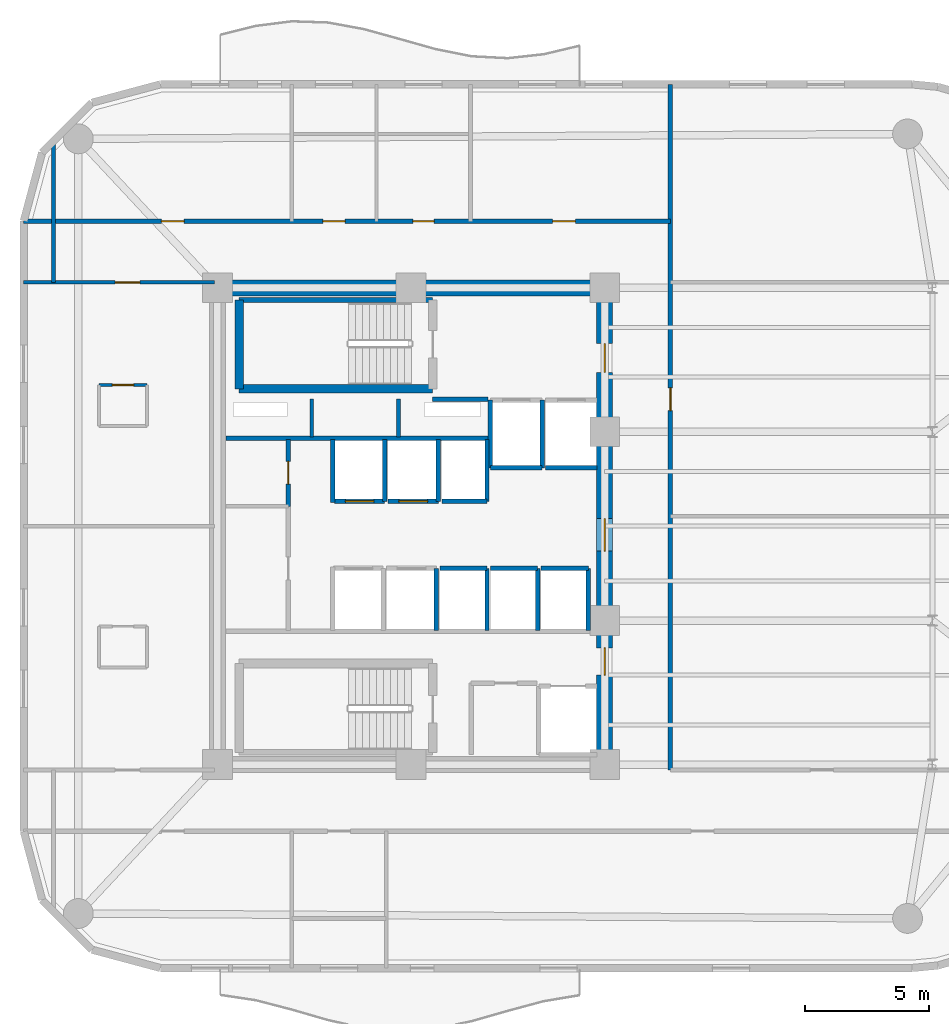
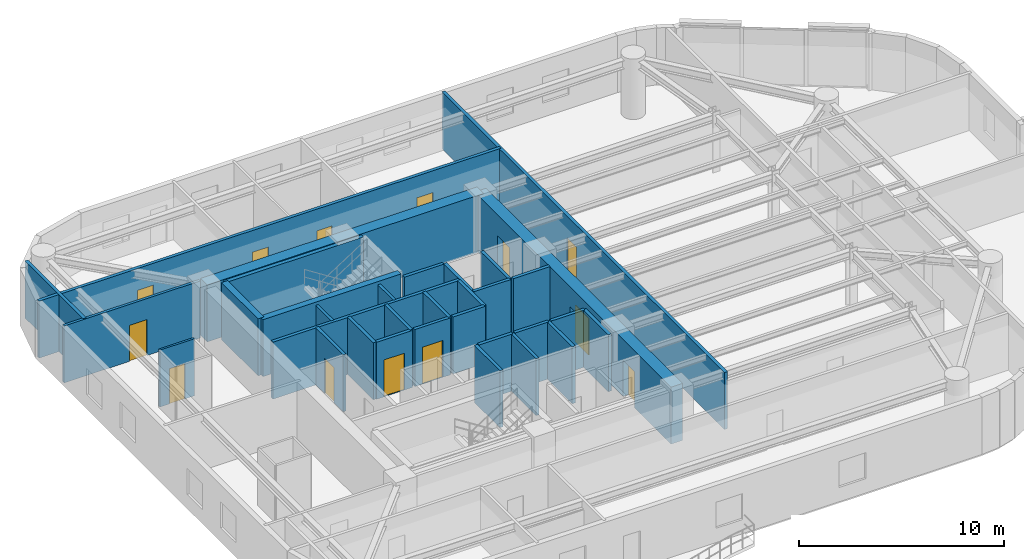
# One storey, part 12 of 16: 33 walls, 13 doors, 13 openings.
"""IFC4 building model written with IfcOpenShell, lengths in metres."""

from ifc_helpers import new_model, si_unit, direction, frame, frame_2d, origin, place, context, subcontext, project, spatial, rectangle, extrude, material, layer, layer_set, type_object, element, fill, save


model = new_model("IFC4")

# Units and contexts
model_context = context("Model", 3, precision=1e-05, world=origin(), true_north=direction((0.0, 1.0)))
body_context = subcontext(model_context, "Body", "Model", "MODEL_VIEW")
ifc_project = project(units=[si_unit("LENGTHUNIT", "METRE"), si_unit("AREAUNIT", "SQUARE_METRE"), si_unit("VOLUMEUNIT", "CUBIC_METRE"), si_unit("PLANEANGLEUNIT", "RADIAN"), si_unit("MASSUNIT", "GRAM", prefix="KILO")], contexts=[model_context])

# Site, building, storey
site_placement = place(None, origin())
site = spatial("IfcSite", under=ifc_project, at=site_placement, CompositionType="ELEMENT")
building_placement = place(site_placement, origin())
building = spatial("IfcBuilding", under=site, at=building_placement, Name="An Khanh Terracotta Commons", CompositionType="ELEMENT")
storey_placement = place(building_placement, frame((0.0, 0.0, 172.60009765625)))
storey = spatial("IfcBuildingStorey", under=building, at=storey_placement, Name="L45", CompositionType="ELEMENT", Elevation=172.60009765625)

# Wall
ifc_material_1 = material(Name="Concrete C60/75", Category="concrete")
ifc_layer_1 = layer(ifc_material_1, 0.64990234375, Name="Concrete C60/75")
ifc_layer_set_1 = layer_set([ifc_layer_1], Name="Concrete C60/75")
wall_type_1 = type_object("IfcWallType", Name="WALL-CORE-650", PredefinedType="SHEAR", material=ifc_layer_set_1)
wall_1_placement = place(storey_placement, frame((21.60009765625, 33.60009765625, 0.0), z_axis=(0.0, 0.0, 1.0), x_axis=(1.0, 0.0, 0.0)))
element("IfcWall", 1, at=wall_1_placement, inside=storey, type_object=wall_type_1, Name="L45 Core Wall CWALL-L45-N", PredefinedType="SHEAR", context=body_context, shape_type="SweptSolid", body=[
    extrude(rectangle(XDim=15.599853515625, YDim=0.64990234375, at=frame_2d((7.7998046875, 0.0))), origin(), (0.0, 0.0, 1.0), 3.39990234375),
])

# Wall, openings, doors
wall_2_placement = place(storey_placement, frame((37.199951171875, 14.39990234375, 0.0), z_axis=(0.0, 0.0, 1.0), x_axis=(0.0, 1.0, 0.0)))
wall_2 = element("IfcWall", 2, at=wall_2_placement, inside=storey, type_object=wall_type_1, Name="L45 Core Wall CWALL-L45-E", PredefinedType="SHEAR", context=body_context, shape_type="SweptSolid", body=[
    extrude(rectangle(XDim=19.2001953125, YDim=0.64990234375, at=frame_2d((9.60009765625, 0.0))), origin(), (0.0, 0.0, 1.0), 3.39990234375),
])
opening_1_placement = place(wall_2_placement, frame((15.800048828125, 0.0, 0.0)))
opening_1 = element("IfcOpeningElement", 3, at=opening_1_placement, cuts=wall_2, Name="Opening D-FFL", PredefinedType="OPENING", context=body_context, shape_type="SweptSolid", body=[
    extrude(rectangle(XDim=1.14990234375, YDim=2.14990234375, at=frame_2d((0.574951171875, 1.074951171875))), frame((0.0, 0.3349609375, 0.0), z_axis=(0.0, -1.0, 0.0), x_axis=(1.0, 0.0, 0.0)), (0.0, 0.0, 1.0), 0.669921875),
])
opening_2_placement = place(wall_2_placement, frame((3.60009765625, 0.0, 0.0)))
opening_2 = element("IfcOpeningElement", 4, at=opening_2_placement, cuts=wall_2, Name="Opening D-ST", PredefinedType="OPENING", context=body_context, shape_type="SweptSolid", body=[
    extrude(rectangle(XDim=1.10009765625, YDim=2.14990234375, at=frame_2d((0.550048828125, 1.074951171875))), frame((0.0, 0.3349609375, 0.0), z_axis=(0.0, -1.0, 0.0), x_axis=(1.0, 0.0, 0.0)), (0.0, 0.0, 1.0), 0.669921875),
])
opening_3_placement = place(wall_2_placement, frame((8.60009765625, 0.0, 0.0)))
opening_3 = element("IfcOpeningElement", 5, at=opening_3_placement, cuts=wall_2, Name="Opening D-COR", PredefinedType="OPENING", context=body_context, shape_type="SweptSolid", body=[
    extrude(rectangle(XDim=1.300048828125, YDim=2.199951171875, at=frame_2d((0.64990234375, 1.10009765625))), frame((0.0, 0.3349609375, 0.0), z_axis=(0.0, -1.0, 0.0), x_axis=(1.0, 0.0, 0.0)), (0.0, 0.0, 1.0), 0.669921875),
])
ifc_material_2 = material(Name="Fire-Rated Glazed Steel Double Door", Category="steel")
door_type_1 = type_object("IfcDoorType", Name="DOOR-CORR-1300", OperationType="NOTDEFINED", PredefinedType="DOOR", material=ifc_material_2)
door_1_placement = place(opening_3_placement, origin())
door_1 = element("IfcDoor", 6, at=door_1_placement, inside=storey, type_object=door_type_1, Name="L45 Passenger Lift Lobby Double Door", OperationType="DOUBLE_DOOR_SINGLE_SWING", OverallHeight=2.199951171875, OverallWidth=1.300048828125, PredefinedType="DOOR", context=body_context, shape_type="SweptSolid", body=[
    extrude(rectangle(XDim=1.300048828125, YDim=2.199951171875, at=frame_2d((0.64990234375, 1.10009765625))), frame((0.0, 0.02490234375, 0.0), z_axis=(0.0, -1.0, 0.0), x_axis=(1.0, 0.0, 0.0)), (0.0, 0.0, 1.0), 0.050048828125),
])
fill(opening_3, door_1)
ifc_material_3 = material(Name="Fire-Rated Steel Leaf and Vision Panel", Category="steel")
door_type_2 = type_object("IfcDoorType", Name="DOOR-FFL-1150", OperationType="NOTDEFINED", PredefinedType="DOOR", material=ifc_material_3)
door_2_placement = place(opening_1_placement, origin())
door_2 = element("IfcDoor", 7, at=door_2_placement, inside=storey, type_object=door_type_2, Name="L45 Firefighting Lift Lobby Fire Door", OperationType="SINGLE_SWING_LEFT", OverallHeight=2.14990234375, OverallWidth=1.14990234375, PredefinedType="DOOR", context=body_context, shape_type="SweptSolid", body=[
    extrude(rectangle(XDim=1.14990234375, YDim=2.14990234375, at=frame_2d((0.574951171875, 1.074951171875))), frame((0.0, 0.02490234375, 0.0), z_axis=(0.0, -1.0, 0.0), x_axis=(1.0, 0.0, 0.0)), (0.0, 0.0, 1.0), 0.050048828125),
])
fill(opening_1, door_2)
ifc_material_4 = material(Name="Fire-Rated Steel Leaf and Frame", Category="steel")
door_type_3 = type_object("IfcDoorType", Name="DOOR-STAIR-1100", OperationType="NOTDEFINED", PredefinedType="DOOR", material=ifc_material_4)
door_3_placement = place(opening_2_placement, origin())
door_3 = element("IfcDoor", 8, at=door_3_placement, inside=storey, type_object=door_type_3, Name="L45 South Stair Lobby Fire Door", OperationType="SINGLE_SWING_RIGHT", OverallHeight=2.14990234375, OverallWidth=1.10009765625, PredefinedType="DOOR", context=body_context, shape_type="SweptSolid", body=[
    extrude(rectangle(XDim=1.10009765625, YDim=2.14990234375, at=frame_2d((0.550048828125, 1.074951171875))), frame((0.0, 0.02490234375, 0.0), z_axis=(0.0, -1.0, 0.0), x_axis=(1.0, 0.0, 0.0)), (0.0, 0.0, 1.0), 0.050048828125),
])
fill(opening_2, door_3)

# Walls
ifc_material_5 = material(Name="Fire-Rated Gypsum Board on Steel Stud", Category="steel")
ifc_layer_2 = layer(ifc_material_5, 0.179931640625, Name="Fire-Rated Gypsum Board on Steel Stud")
ifc_layer_set_2 = layer_set([ifc_layer_2], Name="Fire-Rated Gypsum Board on Steel Stud")
wall_type_2 = type_object("IfcWallType", Name="WALL-CORR-180", PredefinedType="PARTITIONING", material=ifc_layer_set_2)
wall_3_placement = place(storey_placement, frame((30.27001953125, 29.1201171875, 0.0), z_axis=(0.0, 0.0, 1.0), x_axis=(1.0, 0.0, 0.0)))
element("IfcWall", 9, at=wall_3_placement, inside=storey, type_object=wall_type_2, Name="L45 Core Wall FFLW-L45-S", PredefinedType="PARTITIONING", context=body_context, shape_type="SweptSolid", body=[
    extrude(rectangle(XDim=2.239990234375, YDim=0.179931640625, at=frame_2d((1.1201171875, 0.0))), origin(), (0.0, 0.0, 1.0), 3.39990234375),
])
wall_4_placement = place(storey_placement, frame((21.949951171875, 27.5400390625, 0.0), z_axis=(0.0, 0.0, 1.0), x_axis=(1.0, 0.0, 0.0)))
element("IfcWall", 10, at=wall_4_placement, inside=storey, type_object=wall_type_2, Name="L45 Core Wall RSRW-L45-S", PredefinedType="PARTITIONING", context=body_context, shape_type="SweptSolid", body=[
    extrude(rectangle(XDim=10.56005859375, YDim=0.179931640625, at=frame_2d((5.280029296875, 0.0))), origin(), (0.0, 0.0, 1.0), 3.39990234375),
])
wall_5_placement = place(storey_placement, frame((34.679931640625, 26.35009765625, 0.0), z_axis=(0.0, 0.0, 1.0), x_axis=(-1.0, 0.0, 0.0)))
element("IfcWall", 11, at=wall_5_placement, inside=storey, type_object=wall_type_2, Name="L45 Core Wall LSH-L45-FFL-01-S", PredefinedType="PARTITIONING", context=body_context, shape_type="SweptSolid", body=[
    extrude(rectangle(XDim=2.079833984375, YDim=0.179931640625, at=frame_2d((1.0400390625, 0.0))), origin(), (0.0, 0.0, 1.0), 3.39990234375),
])
for number, where, z_axis, x_axis, name in (
    (12, (34.679931640625, 26.35009765625, 0.0), (0.0, 0.0, 1.0), (0.0, 1.0, 0.0), "L45 Core Wall LSH-L45-FFL-01-E"),
    (13, (32.60009765625, 29.080078125, 0.0), (0.0, 0.0, 1.0), (0.0, -1.0, 0.0), "L45 Core Wall LSH-L45-FFL-01-W"),
):
    element("IfcWall", number, at=place(storey_placement, frame(where, z_axis=z_axis, x_axis=x_axis)), inside=storey, type_object=wall_type_2, Name=name, PredefinedType="PARTITIONING", context=body_context, shape_type="SweptSolid", body=[
        extrude(rectangle(XDim=2.72998046875, YDim=0.179931640625, at=frame_2d((1.364990234375, 0.0))), origin(), (0.0, 0.0, 1.0), 3.39990234375),
    ])
wall_6_placement = place(storey_placement, frame((36.89990234375, 26.35009765625, 0.0), z_axis=(0.0, 0.0, 1.0), x_axis=(-1.0, 0.0, 0.0)))
element("IfcWall", 14, at=wall_6_placement, inside=storey, type_object=wall_type_2, Name="L45 Core Wall LSH-L45-FFL-02-S", PredefinedType="PARTITIONING", context=body_context, shape_type="SweptSolid", body=[
    extrude(rectangle(XDim=2.079833984375, YDim=0.179931640625, at=frame_2d((1.0400390625, 0.0))), origin(), (0.0, 0.0, 1.0), 3.39990234375),
])

# Wall, opening, door
wall_7_placement = place(storey_placement, frame((28.340087890625, 25.0, 0.0), z_axis=(0.0, 0.0, 1.0), x_axis=(-1.0, 0.0, 0.0)))
wall_7 = element("IfcWall", 15, at=wall_7_placement, inside=storey, type_object=wall_type_2, Name="L45 Core Wall LSH-L45-PL-M1-S", PredefinedType="PARTITIONING", context=body_context, shape_type="SweptSolid", body=[
    extrude(rectangle(XDim=2.02001953125, YDim=0.179931640625, at=frame_2d((1.010009765625, 0.0))), origin(), (0.0, 0.0, 1.0), 3.39990234375),
])
opening_4_placement = place(wall_7_placement, frame((0.43505859375, 0.0, 0.0)))
opening_4 = element("IfcOpeningElement", 16, at=opening_4_placement, cuts=wall_7, Name="Opening LD-PL-M1-L45", PredefinedType="OPENING", context=body_context, shape_type="SweptSolid", body=[
    extrude(rectangle(XDim=1.14990234375, YDim=2.199951171875, at=frame_2d((0.574951171875, 1.10009765625))), frame((0.0, 0.099853515625, 0.0), z_axis=(0.0, -1.0, 0.0), x_axis=(1.0, 0.0, 0.0)), (0.0, 0.0, 1.0), 0.199951171875),
])
ifc_material_6 = material(Name="Brushed Stainless Steel Passenger Landing Door", Category="steel")
door_type_4 = type_object("IfcDoorType", Name="DOOR-LD-PAX-1150", OperationType="NOTDEFINED", PredefinedType="DOOR", material=ifc_material_6)
door_4_placement = place(opening_4_placement, origin())
door_4 = element("IfcDoor", 17, at=door_4_placement, inside=storey, type_object=door_type_4, Name="L45 Lift PL-M1 Sliding Landing Door", OperationType="DOUBLE_DOOR_SLIDING", OverallHeight=2.199951171875, OverallWidth=1.14990234375, PredefinedType="DOOR", context=body_context, shape_type="SweptSolid", body=[
    extrude(rectangle(XDim=1.14990234375, YDim=2.199951171875, at=frame_2d((0.574951171875, 1.10009765625))), frame((0.0, 0.02490234375, 0.0), z_axis=(0.0, -1.0, 0.0), x_axis=(1.0, 0.0, 0.0)), (0.0, 0.0, 1.0), 0.050048828125),
])
fill(opening_4, door_4)

# Wall
wall_8_placement = place(storey_placement, frame((28.340087890625, 25.0, 0.0), z_axis=(0.0, 0.0, 1.0), x_axis=(0.0, 1.0, 0.0)))
element("IfcWall", 18, at=wall_8_placement, inside=storey, type_object=wall_type_2, Name="L45 Core Wall LSH-L45-PL-M1-E", PredefinedType="PARTITIONING", context=body_context, shape_type="SweptSolid", body=[
    extrude(rectangle(XDim=2.5, YDim=0.179931640625, at=frame_2d((1.25, 0.0))), origin(), (0.0, 0.0, 1.0), 3.39990234375),
])

# Wall, opening, door
wall_9_placement = place(storey_placement, frame((30.5, 25.0, 0.0), z_axis=(0.0, 0.0, 1.0), x_axis=(-1.0, 0.0, 0.0)))
wall_9 = element("IfcWall", 19, at=wall_9_placement, inside=storey, type_object=wall_type_2, Name="L45 Core Wall LSH-L45-PL-M2-S", PredefinedType="PARTITIONING", context=body_context, shape_type="SweptSolid", body=[
    extrude(rectangle(XDim=2.02001953125, YDim=0.179931640625, at=frame_2d((1.010009765625, 0.0))), origin(), (0.0, 0.0, 1.0), 3.39990234375),
])
opening_5_placement = place(wall_9_placement, frame((0.43505859375, 0.0, 0.0)))
opening_5 = element("IfcOpeningElement", 20, at=opening_5_placement, cuts=wall_9, Name="Opening LD-PL-M2-L45", PredefinedType="OPENING", context=body_context, shape_type="SweptSolid", body=[
    extrude(rectangle(XDim=1.14990234375, YDim=2.199951171875, at=frame_2d((0.574951171875, 1.10009765625))), frame((0.0, 0.099853515625, 0.0), z_axis=(0.0, -1.0, 0.0), x_axis=(1.0, 0.0, 0.0)), (0.0, 0.0, 1.0), 0.199951171875),
])
door_5_placement = place(opening_5_placement, origin())
door_5 = element("IfcDoor", 21, at=door_5_placement, inside=storey, type_object=door_type_4, Name="L45 Lift PL-M2 Sliding Landing Door", OperationType="DOUBLE_DOOR_SLIDING", OverallHeight=2.199951171875, OverallWidth=1.14990234375, PredefinedType="DOOR", context=body_context, shape_type="SweptSolid", body=[
    extrude(rectangle(XDim=1.14990234375, YDim=2.199951171875, at=frame_2d((0.574951171875, 1.10009765625))), frame((0.0, 0.02490234375, 0.0), z_axis=(0.0, -1.0, 0.0), x_axis=(1.0, 0.0, 0.0)), (0.0, 0.0, 1.0), 0.050048828125),
])
fill(opening_5, door_5)

# Walls
for number, where, z_axis, x_axis, name in (
    (22, (30.5, 25.0, 0.0), (0.0, 0.0, 1.0), (0.0, 1.0, 0.0), "L45 Core Wall LSH-L45-PL-M2-E"),
    (23, (30.419921875, 19.800048828125, 0.0), (0.0, 0.0, 1.0), (0.0, 1.0, 0.0), "L45 Core Wall LSH-L45-PL-M4-E"),
):
    element("IfcWall", number, at=place(storey_placement, frame(where, z_axis=z_axis, x_axis=x_axis)), inside=storey, type_object=wall_type_2, Name=name, PredefinedType="PARTITIONING", context=body_context, shape_type="SweptSolid", body=[
        extrude(rectangle(XDim=2.5, YDim=0.179931640625, at=frame_2d((1.25, 0.0))), origin(), (0.0, 0.0, 1.0), 3.39990234375),
    ])
wall_10_placement = place(storey_placement, frame((32.4599609375, 25.0, 0.0), z_axis=(0.0, 0.0, 1.0), x_axis=(-1.0, 0.0, 0.0)))
element("IfcWall", 24, at=wall_10_placement, inside=storey, type_object=wall_type_2, Name="L45 Core Wall LSH-L45-PL-H1-S", PredefinedType="PARTITIONING", context=body_context, shape_type="SweptSolid", body=[
    extrude(rectangle(XDim=1.820068359375, YDim=0.179931640625, at=frame_2d((0.91015625, 0.0))), origin(), (0.0, 0.0, 1.0), 3.39990234375),
])
wall_11_placement = place(storey_placement, frame((32.4599609375, 25.0, 0.0), z_axis=(0.0, 0.0, 1.0), x_axis=(0.0, 1.0, 0.0)))
element("IfcWall", 25, at=wall_11_placement, inside=storey, type_object=wall_type_2, Name="L45 Core Wall LSH-L45-PL-H1-E", PredefinedType="PARTITIONING", context=body_context, shape_type="SweptSolid", body=[
    extrude(rectangle(XDim=2.5, YDim=0.179931640625, at=frame_2d((1.25, 0.0))), origin(), (0.0, 0.0, 1.0), 3.39990234375),
])
wall_12_placement = place(storey_placement, frame((30.56005859375, 22.300048828125, 0.0), z_axis=(0.0, 0.0, 1.0), x_axis=(1.0, 0.0, 0.0)))
element("IfcWall", 26, at=wall_12_placement, inside=storey, type_object=wall_type_2, Name="L45 Core Wall LSH-L45-PL-H2-N", PredefinedType="PARTITIONING", context=body_context, shape_type="SweptSolid", body=[
    extrude(rectangle(XDim=1.89990234375, YDim=0.179931640625, at=frame_2d((0.949951171875, 0.0))), origin(), (0.0, 0.0, 1.0), 3.39990234375),
])
wall_13_placement = place(storey_placement, frame((32.4599609375, 19.800048828125, 0.0), z_axis=(0.0, 0.0, 1.0), x_axis=(0.0, 1.0, 0.0)))
element("IfcWall", 27, at=wall_13_placement, inside=storey, type_object=wall_type_2, Name="L45 Core Wall LSH-L45-PL-H2-E", PredefinedType="PARTITIONING", context=body_context, shape_type="SweptSolid", body=[
    extrude(rectangle(XDim=2.5, YDim=0.179931640625, at=frame_2d((1.25, 0.0))), origin(), (0.0, 0.0, 1.0), 3.39990234375),
])
wall_14_placement = place(storey_placement, frame((32.60009765625, 22.300048828125, 0.0), z_axis=(0.0, 0.0, 1.0), x_axis=(1.0, 0.0, 0.0)))
element("IfcWall", 28, at=wall_14_placement, inside=storey, type_object=wall_type_2, Name="L45 Core Wall LSH-L45-PL-H3-N", PredefinedType="PARTITIONING", context=body_context, shape_type="SweptSolid", body=[
    extrude(rectangle(XDim=1.89990234375, YDim=0.179931640625, at=frame_2d((0.949951171875, 0.0))), origin(), (0.0, 0.0, 1.0), 3.39990234375),
])
wall_15_placement = place(storey_placement, frame((34.5, 19.800048828125, 0.0), z_axis=(0.0, 0.0, 1.0), x_axis=(0.0, 1.0, 0.0)))
element("IfcWall", 29, at=wall_15_placement, inside=storey, type_object=wall_type_2, Name="L45 Core Wall LSH-L45-PL-H3-E", PredefinedType="PARTITIONING", context=body_context, shape_type="SweptSolid", body=[
    extrude(rectangle(XDim=2.5, YDim=0.179931640625, at=frame_2d((1.25, 0.0))), origin(), (0.0, 0.0, 1.0), 3.39990234375),
])
wall_16_placement = place(storey_placement, frame((34.639892578125, 22.300048828125, 0.0), z_axis=(0.0, 0.0, 1.0), x_axis=(1.0, 0.0, 0.0)))
element("IfcWall", 30, at=wall_16_placement, inside=storey, type_object=wall_type_2, Name="L45 Core Wall LSH-L45-PL-H4-N", PredefinedType="PARTITIONING", context=body_context, shape_type="SweptSolid", body=[
    extrude(rectangle(XDim=1.900146484375, YDim=0.179931640625, at=frame_2d((0.9501953125, 0.0))), origin(), (0.0, 0.0, 1.0), 3.39990234375),
])
wall_17_placement = place(storey_placement, frame((36.5400390625, 19.800048828125, 0.0), z_axis=(0.0, 0.0, 1.0), x_axis=(0.0, 1.0, 0.0)))
element("IfcWall", 31, at=wall_17_placement, inside=storey, type_object=wall_type_2, Name="L45 Core Wall LSH-L45-PL-H4-E", PredefinedType="PARTITIONING", context=body_context, shape_type="SweptSolid", body=[
    extrude(rectangle(XDim=2.5, YDim=0.179931640625, at=frame_2d((1.25, 0.0))), origin(), (0.0, 0.0, 1.0), 3.39990234375),
])

# Wall, opening, door
wall_18_placement = place(storey_placement, frame((24.4599609375, 24.800048828125, 0.0), z_axis=(0.0, 0.0, 1.0), x_axis=(0.0, 1.0, 0.0)))
wall_18 = element("IfcWall", 32, at=wall_18_placement, inside=storey, type_object=wall_type_2, Name="L45 Core Wall RECW-L45-E1", PredefinedType="PARTITIONING", context=body_context, shape_type="SweptSolid", body=[
    extrude(rectangle(XDim=2.699951171875, YDim=0.179931640625, at=frame_2d((1.35009765625, 0.0))), origin(), (0.0, 0.0, 1.0), 3.39990234375),
])
opening_6_placement = place(wall_18_placement, frame((0.889892578125, 0.0, 0.0)))
opening_6 = element("IfcOpeningElement", 33, at=opening_6_placement, cuts=wall_18, Name="Opening D-RM", PredefinedType="OPENING", context=body_context, shape_type="SweptSolid", body=[
    extrude(rectangle(XDim=0.919921875, YDim=2.10009765625, at=frame_2d((0.4599609375, 1.050048828125))), frame((0.0, 0.099853515625, 0.0), z_axis=(0.0, -1.0, 0.0), x_axis=(1.0, 0.0, 0.0)), (0.0, 0.0, 1.0), 0.199951171875),
])
ifc_material_7 = material(Name="Engineered Hardwood Timber Leaf", Category="wood")
door_type_5 = type_object("IfcDoorType", Name="DOOR-INT-920", OperationType="NOTDEFINED", PredefinedType="DOOR", material=ifc_material_7)
door_6_placement = place(opening_6_placement, origin())
door_6 = element("IfcDoor", 34, at=door_6_placement, inside=storey, type_object=door_type_5, Name="L45 Floor Pantry and Ice Room Door", OperationType="SINGLE_SWING_RIGHT", OverallHeight=2.10009765625, OverallWidth=0.919921875, PredefinedType="DOOR", context=body_context, shape_type="SweptSolid", body=[
    extrude(rectangle(XDim=0.919921875, YDim=2.10009765625, at=frame_2d((0.4599609375, 1.050048828125))), frame((0.0, 0.02490234375, 0.0), z_axis=(0.0, -1.0, 0.0), x_axis=(1.0, 0.0, 0.0)), (0.0, 0.0, 1.0), 0.050048828125),
])
fill(opening_6, door_6)

# Wall
wall_19_placement = place(storey_placement, frame((26.25, 24.949951171875, 0.0), z_axis=(0.0, 0.0, 1.0), x_axis=(0.0, 1.0, 0.0)))
element("IfcWall", 35, at=wall_19_placement, inside=storey, type_object=wall_type_2, Name="L45 Core Wall RECW-L45-BE1", PredefinedType="PARTITIONING", context=body_context, shape_type="SweptSolid", body=[
    extrude(rectangle(XDim=2.550048828125, YDim=0.179931640625, at=frame_2d((1.27490234375, 0.0))), origin(), (0.0, 0.0, 1.0), 3.39990234375),
])

# Wall, openings, doors
wall_20_placement = place(storey_placement, frame((13.800048828125, 36.280029296875, 0.0), z_axis=(0.0, 0.0, 1.0), x_axis=(1.0, 0.0, 0.0)))
wall_20 = element("IfcWall", 36, at=wall_20_placement, inside=storey, type_object=wall_type_2, Name="L45 Interior Partition IW-L45-E011", PredefinedType="PARTITIONING", context=body_context, shape_type="SweptSolid", body=[
    extrude(rectangle(XDim=26.050048828125, YDim=0.179931640625, at=frame_2d((13.02490234375, 0.0))), origin(), (0.0, 0.0, 1.0), 3.39990234375),
])
opening_7_placement = place(wall_20_placement, frame((12.050048828125, 0.0, 0.0)))
opening_7 = element("IfcOpeningElement", 37, at=opening_7_placement, cuts=wall_20, Name="Opening D-WC", PredefinedType="OPENING", context=body_context, shape_type="SweptSolid", body=[
    extrude(rectangle(XDim=0.89990234375, YDim=2.10009765625, at=frame_2d((0.449951171875, 1.050048828125))), frame((0.0, 0.099853515625, 0.0), z_axis=(0.0, -1.0, 0.0), x_axis=(1.0, 0.0, 0.0)), (0.0, 0.0, 1.0), 0.199951171875),
])
opening_8_placement = place(wall_20_placement, frame((15.669921875, 0.0, 0.0)))
opening_8 = element("IfcOpeningElement", 38, at=opening_8_placement, cuts=wall_20, Name="Opening D-ENS", PredefinedType="OPENING", context=body_context, shape_type="SweptSolid", body=[
    extrude(rectangle(XDim=0.860107421875, YDim=2.10009765625, at=frame_2d((0.43017578125, 1.050048828125))), frame((0.0, 0.099853515625, 0.0), z_axis=(0.0, -1.0, 0.0), x_axis=(1.0, 0.0, 0.0)), (0.0, 0.0, 1.0), 0.199951171875),
])
opening_9_placement = place(wall_20_placement, frame((5.5400390625, 0.0, 0.0)))
opening_9 = element("IfcOpeningElement", 39, at=opening_9_placement, cuts=wall_20, Name="Opening D-RM", PredefinedType="OPENING", context=body_context, shape_type="SweptSolid", body=[
    extrude(rectangle(XDim=0.919921875, YDim=2.10009765625, at=frame_2d((0.4599609375, 1.050048828125))), frame((0.0, 0.099853515625, 0.0), z_axis=(0.0, -1.0, 0.0), x_axis=(1.0, 0.0, 0.0)), (0.0, 0.0, 1.0), 0.199951171875),
])
opening_10_placement = place(wall_20_placement, frame((21.304931640625, 0.0, 0.0)))
opening_10 = element("IfcOpeningElement", 40, at=opening_10_placement, cuts=wall_20, Name="Opening D-RM", PredefinedType="OPENING", context=body_context, shape_type="SweptSolid", body=[
    extrude(rectangle(XDim=0.919921875, YDim=2.10009765625, at=frame_2d((0.4599609375, 1.050048828125))), frame((0.0, 0.099853515625, 0.0), z_axis=(0.0, -1.0, 0.0), x_axis=(1.0, 0.0, 0.0)), (0.0, 0.0, 1.0), 0.199951171875),
])
ifc_material_8 = material(Name="Moisture-Resistant Hardwood Timber Leaf", Category="wood")
door_type_6 = type_object("IfcDoorType", Name="DOOR-BATH-860", OperationType="NOTDEFINED", PredefinedType="DOOR", material=ifc_material_8)
door_7_placement = place(opening_8_placement, origin())
door_7 = element("IfcDoor", 41, at=door_7_placement, inside=storey, type_object=door_type_6, Name="L45 SHW Resident Shared Shower and Washroom Door", OperationType="SINGLE_SWING_LEFT", OverallHeight=2.10009765625, OverallWidth=0.860107421875, PredefinedType="DOOR", context=body_context, shape_type="SweptSolid", body=[
    extrude(rectangle(XDim=0.860107421875, YDim=2.10009765625, at=frame_2d((0.43017578125, 1.050048828125))), frame((0.0, 0.02490234375, 0.0), z_axis=(0.0, -1.0, 0.0), x_axis=(1.0, 0.0, 0.0)), (0.0, 0.0, 1.0), 0.050048828125),
])
fill(opening_8, door_7)
door_8_placement = place(opening_9_placement, origin())
door_8 = element("IfcDoor", 42, at=door_8_placement, inside=storey, type_object=door_type_5, Name="L45 NW1 Academic Seminar Room Door", OperationType="SINGLE_SWING_RIGHT", OverallHeight=2.10009765625, OverallWidth=0.919921875, PredefinedType="DOOR", context=body_context, shape_type="SweptSolid", body=[
    extrude(rectangle(XDim=0.919921875, YDim=2.10009765625, at=frame_2d((0.4599609375, 1.050048828125))), frame((0.0, 0.02490234375, 0.0), z_axis=(0.0, -1.0, 0.0), x_axis=(1.0, 0.0, 0.0)), (0.0, 0.0, 1.0), 0.050048828125),
])
fill(opening_9, door_8)
door_9_placement = place(opening_10_placement, origin())
door_9 = element("IfcDoor", 43, at=door_9_placement, inside=storey, type_object=door_type_5, Name="L45 NWE Academic Seminar Room Door", OperationType="SINGLE_SWING_LEFT", OverallHeight=2.10009765625, OverallWidth=0.919921875, PredefinedType="DOOR", context=body_context, shape_type="SweptSolid", body=[
    extrude(rectangle(XDim=0.919921875, YDim=2.10009765625, at=frame_2d((0.4599609375, 1.050048828125))), frame((0.0, 0.02490234375, 0.0), z_axis=(0.0, -1.0, 0.0), x_axis=(1.0, 0.0, 0.0)), (0.0, 0.0, 1.0), 0.050048828125),
])
fill(opening_10, door_9)
ifc_material_9 = material(Name="Laminate Moisture-Resistant Timber Leaf", Category="wood")
door_type_7 = type_object("IfcDoorType", Name="DOOR-WC-900", OperationType="NOTDEFINED", PredefinedType="DOOR", material=ifc_material_9)
door_10_placement = place(opening_7_placement, origin())
door_10 = element("IfcDoor", 44, at=door_10_placement, inside=storey, type_object=door_type_7, Name="L45 AWC Accessible WC Door", OperationType="SINGLE_SWING_RIGHT", OverallHeight=2.10009765625, OverallWidth=0.89990234375, PredefinedType="DOOR", context=body_context, shape_type="SweptSolid", body=[
    extrude(rectangle(XDim=0.89990234375, YDim=2.10009765625, at=frame_2d((0.449951171875, 1.050048828125))), frame((0.0, 0.02490234375, 0.0), z_axis=(0.0, -1.0, 0.0), x_axis=(1.0, 0.0, 0.0)), (0.0, 0.0, 1.0), 0.050048828125),
])
fill(opening_7, door_10)

# Wall
wall_21_placement = place(storey_placement, frame((15.0, 33.820068359375, 0.0), z_axis=(0.0, 0.0, 1.0), x_axis=(0.0, 1.0, 0.0)))
element("IfcWall", 45, at=wall_21_placement, inside=storey, type_object=wall_type_2, Name="L45 Interior Partition IW-L45-E014", PredefinedType="PARTITIONING", context=body_context, shape_type="SweptSolid", body=[
    extrude(rectangle(XDim=5.69287109375, YDim=0.179931640625, at=frame_2d((2.846435546875, 0.0))), origin(), (0.0, 0.0, 1.0), 3.39990234375),
])

# Wall, opening, door
wall_22_placement = place(storey_placement, frame((39.85009765625, 14.179931640625, 0.0), z_axis=(0.0, 0.0, 1.0), x_axis=(0.0, 1.0, 0.0)))
wall_22 = element("IfcWall", 46, at=wall_22_placement, inside=storey, type_object=wall_type_2, Name="L45 Interior Partition IW-L45-E020", PredefinedType="PARTITIONING", context=body_context, shape_type="SweptSolid", body=[
    extrude(rectangle(XDim=27.6201171875, YDim=0.179931640625, at=frame_2d((13.81005859375, 0.0))), origin(), (0.0, 0.0, 1.0), 3.39990234375),
])
opening_11_placement = place(wall_22_placement, frame((14.469970703125, 0.0, 0.0)))
opening_11 = element("IfcOpeningElement", 47, at=opening_11_placement, cuts=wall_22, Name="Opening D-RM", PredefinedType="OPENING", context=body_context, shape_type="SweptSolid", body=[
    extrude(rectangle(XDim=0.919921875, YDim=2.10009765625, at=frame_2d((0.4599609375, 1.050048828125))), frame((0.0, 0.099853515625, 0.0), z_axis=(0.0, -1.0, 0.0), x_axis=(1.0, 0.0, 0.0)), (0.0, 0.0, 1.0), 0.199951171875),
])
door_11_placement = place(opening_11_placement, origin())
door_11 = element("IfcDoor", 48, at=door_11_placement, inside=storey, type_object=door_type_5, Name="L45 WSP2 Academic Seminar Room Door", OperationType="SINGLE_SWING_RIGHT", OverallHeight=2.10009765625, OverallWidth=0.919921875, PredefinedType="DOOR", context=body_context, shape_type="SweptSolid", body=[
    extrude(rectangle(XDim=0.919921875, YDim=2.10009765625, at=frame_2d((0.4599609375, 1.050048828125))), frame((0.0, 0.02490234375, 0.0), z_axis=(0.0, -1.0, 0.0), x_axis=(1.0, 0.0, 0.0)), (0.0, 0.0, 1.0), 0.050048828125),
])
fill(opening_11, door_11)

# Walls
ifc_material_10 = material(Name="Acoustic Gypsum Board Partition")
ifc_layer_3 = layer(ifc_material_10, 0.14990234375, Name="Acoustic Gypsum Board Partition")
ifc_layer_set_3 = layer_set([ifc_layer_3], Name="Acoustic Gypsum Board Partition")
wall_type_3 = type_object("IfcWallType", Name="WALL-PART-150", PredefinedType="PARTITIONING", material=ifc_layer_set_3)
for number, where, z_axis, x_axis, name in (
    (49, (25.39990234375, 27.60009765625, 0.0), (0.0, 0.0, 1.0), (0.0, 1.0, 0.0), "L45 Core Wall RSRW-L45-D1"),
    (50, (28.89990234375, 27.60009765625, 0.0), (0.0, 0.0, 1.0), (0.0, 1.0, 0.0), "L45 Core Wall RSRW-L45-D2"),
):
    element("IfcWall", number, at=place(storey_placement, frame(where, z_axis=z_axis, x_axis=x_axis)), inside=storey, type_object=wall_type_3, Name=name, PredefinedType="PARTITIONING", context=body_context, shape_type="SweptSolid", body=[
        extrude(rectangle(XDim=1.52001953125, YDim=0.14990234375, at=frame_2d((0.760009765625, 0.0))), origin(), (0.0, 0.0, 1.0), 3.39990234375),
    ])

# Wall, opening, door
wall_23_placement = place(storey_placement, frame((13.800048828125, 33.820068359375, 0.0), z_axis=(0.0, 0.0, 1.0), x_axis=(1.0, 0.0, 0.0)))
wall_23 = element("IfcWall", 51, at=wall_23_placement, inside=storey, type_object=wall_type_3, Name="L45 Interior Partition IW-L45-E009", PredefinedType="PARTITIONING", context=body_context, shape_type="SweptSolid", body=[
    extrude(rectangle(XDim=7.679931640625, YDim=0.14990234375, at=frame_2d((3.83984375, 0.0))), origin(), (0.0, 0.0, 1.0), 3.39990234375),
])
opening_12_placement = place(wall_23_placement, frame((3.679931640625, 0.0, 0.0)))
opening_12 = element("IfcOpeningElement", 52, at=opening_12_placement, cuts=wall_23, Name="Opening D-UN", PredefinedType="OPENING", context=body_context, shape_type="SweptSolid", body=[
    extrude(rectangle(XDim=1.0, YDim=2.14990234375, at=frame_2d((0.5, 1.074951171875))), frame((0.0, 0.0849609375, 0.0), z_axis=(0.0, -1.0, 0.0), x_axis=(1.0, 0.0, 0.0)), (0.0, 0.0, 1.0), 0.169921875),
])
ifc_material_11 = material(Name="Solid-Core Hardwood Acoustic Fire Door", Category="wood")
door_type_8 = type_object("IfcDoorType", Name="DOOR-UNIT-1000", OperationType="NOTDEFINED", PredefinedType="DOOR", material=ifc_material_11)
door_12_placement = place(opening_12_placement, origin())
door_12 = element("IfcDoor", 53, at=door_12_placement, inside=storey, type_object=door_type_8, Name="L45 WW2 Kitchenette and Studio Apartment Door", OperationType="SINGLE_SWING_LEFT", OverallHeight=2.14990234375, OverallWidth=1.0, PredefinedType="DOOR", context=body_context, shape_type="SweptSolid", body=[
    extrude(rectangle(XDim=1.0, YDim=2.14990234375, at=frame_2d((0.5, 1.074951171875))), frame((0.0, 0.02490234375, 0.0), z_axis=(0.0, -1.0, 0.0), x_axis=(1.0, 0.0, 0.0)), (0.0, 0.0, 1.0), 0.050048828125),
])
fill(opening_12, door_12)

# Walls
ifc_material_12 = material(Name="Acoustic Double-Stud Gypsum and Mineral Wool")
ifc_layer_4 = layer(ifc_material_12, 0.219970703125, Name="Acoustic Double-Stud Gypsum and Mineral Wool")
ifc_layer_set_4 = layer_set([ifc_layer_4], Name="Acoustic Double-Stud Gypsum and Mineral Wool")
wall_type_4 = type_object("IfcWallType", Name="WALL-PARTY-220", PredefinedType="PARTITIONING", material=ifc_layer_set_4)
wall_24_placement = place(storey_placement, frame((22.47998046875, 33.110107421875, 0.0), z_axis=(0.0, 0.0, 1.0), x_axis=(1.0, 0.0, 0.0)))
element("IfcWall", 54, at=wall_24_placement, inside=storey, type_object=wall_type_4, Name="L45 Core Wall STW-L45-N-N", PredefinedType="PARTITIONING", context=body_context, shape_type="SweptSolid", body=[
    extrude(rectangle(XDim=7.7900390625, YDim=0.219970703125, at=frame_2d((3.89501953125, 0.0))), origin(), (0.0, 0.0, 1.0), 3.39990234375),
])
ifc_material_13 = material(Name="Concrete C50/60", Category="concrete")
ifc_layer_5 = layer(ifc_material_13, 0.35009765625, Name="Concrete C50/60")
ifc_layer_set_5 = layer_set([ifc_layer_5], Name="Concrete C50/60")
wall_type_5 = type_object("IfcWallType", Name="WALL-SHAFT-350", PredefinedType="SOLIDWALL", material=ifc_layer_set_5)
wall_25_placement = place(storey_placement, frame((22.47998046875, 29.530029296875, 0.0), z_axis=(0.0, 0.0, 1.0), x_axis=(1.0, 0.0, 0.0)))
element("IfcWall", 55, at=wall_25_placement, inside=storey, type_object=wall_type_5, Name="L45 Core Wall STW-L45-N-S", PredefinedType="SOLIDWALL", context=body_context, shape_type="SweptSolid", body=[
    extrude(rectangle(XDim=7.7900390625, YDim=0.35009765625, at=frame_2d((3.89501953125, 0.0))), origin(), (0.0, 0.0, 1.0), 3.39990234375),
])
wall_26_placement = place(storey_placement, frame((22.47998046875, 29.530029296875, 0.0), z_axis=(0.0, 0.0, 1.0), x_axis=(0.0, 1.0, 0.0)))
element("IfcWall", 56, at=wall_26_placement, inside=storey, type_object=wall_type_5, Name="L45 Core Wall STW-L45-N-W", PredefinedType="SOLIDWALL", context=body_context, shape_type="SweptSolid", body=[
    extrude(rectangle(XDim=3.580078125, YDim=0.35009765625, at=frame_2d((1.7900390625, 0.0))), origin(), (0.0, 0.0, 1.0), 3.39990234375),
])

# Wall, opening, door
ifc_material_14 = material(Name="Moisture-Resistant Cement Board Partition")
ifc_layer_6 = layer(ifc_material_14, 0.1201171875, Name="Moisture-Resistant Cement Board Partition")
ifc_layer_set_6 = layer_set([ifc_layer_6], Name="Moisture-Resistant Cement Board Partition")
wall_type_6 = type_object("IfcWallType", Name="WALL-WET-120", PredefinedType="PARTITIONING", material=ifc_layer_set_6)
wall_27_placement = place(storey_placement, frame((16.824951171875, 29.68505859375, 0.0), z_axis=(0.0, 0.0, 1.0), x_axis=(1.0, 0.0, 0.0)))
wall_27 = element("IfcWall", 57, at=wall_27_placement, inside=storey, type_object=wall_type_6, Name="L45 Interior Partition IW-L45-WW2-BN", PredefinedType="PARTITIONING", context=body_context, shape_type="SweptSolid", body=[
    extrude(rectangle(XDim=1.949951171875, YDim=0.1201171875, at=frame_2d((0.97509765625, 0.0))), origin(), (0.0, 0.0, 1.0), 3.39990234375),
])
opening_13_placement = place(wall_27_placement, frame((0.544921875, 0.0, 0.0)))
opening_13 = element("IfcOpeningElement", 58, at=opening_13_placement, cuts=wall_27, Name="Opening D-ENS", PredefinedType="OPENING", context=body_context, shape_type="SweptSolid", body=[
    extrude(rectangle(XDim=0.860107421875, YDim=2.10009765625, at=frame_2d((0.43017578125, 1.050048828125))), frame((0.0, 0.070068359375, 0.0), z_axis=(0.0, -1.0, 0.0), x_axis=(1.0, 0.0, 0.0)), (0.0, 0.0, 1.0), 0.14013671875),
])
door_13_placement = place(opening_13_placement, origin())
door_13 = element("IfcDoor", 59, at=door_13_placement, inside=storey, type_object=door_type_6, Name="L45 Studio WW2 En-suite Door", OperationType="SINGLE_SWING_LEFT", OverallHeight=2.10009765625, OverallWidth=0.860107421875, PredefinedType="DOOR", context=body_context, shape_type="SweptSolid", body=[
    extrude(rectangle(XDim=0.860107421875, YDim=2.10009765625, at=frame_2d((0.43017578125, 1.050048828125))), frame((0.0, 0.02490234375, 0.0), z_axis=(0.0, -1.0, 0.0), x_axis=(1.0, 0.0, 0.0)), (0.0, 0.0, 1.0), 0.050048828125),
])
fill(opening_13, door_13)

save(model, "model.ifc")
